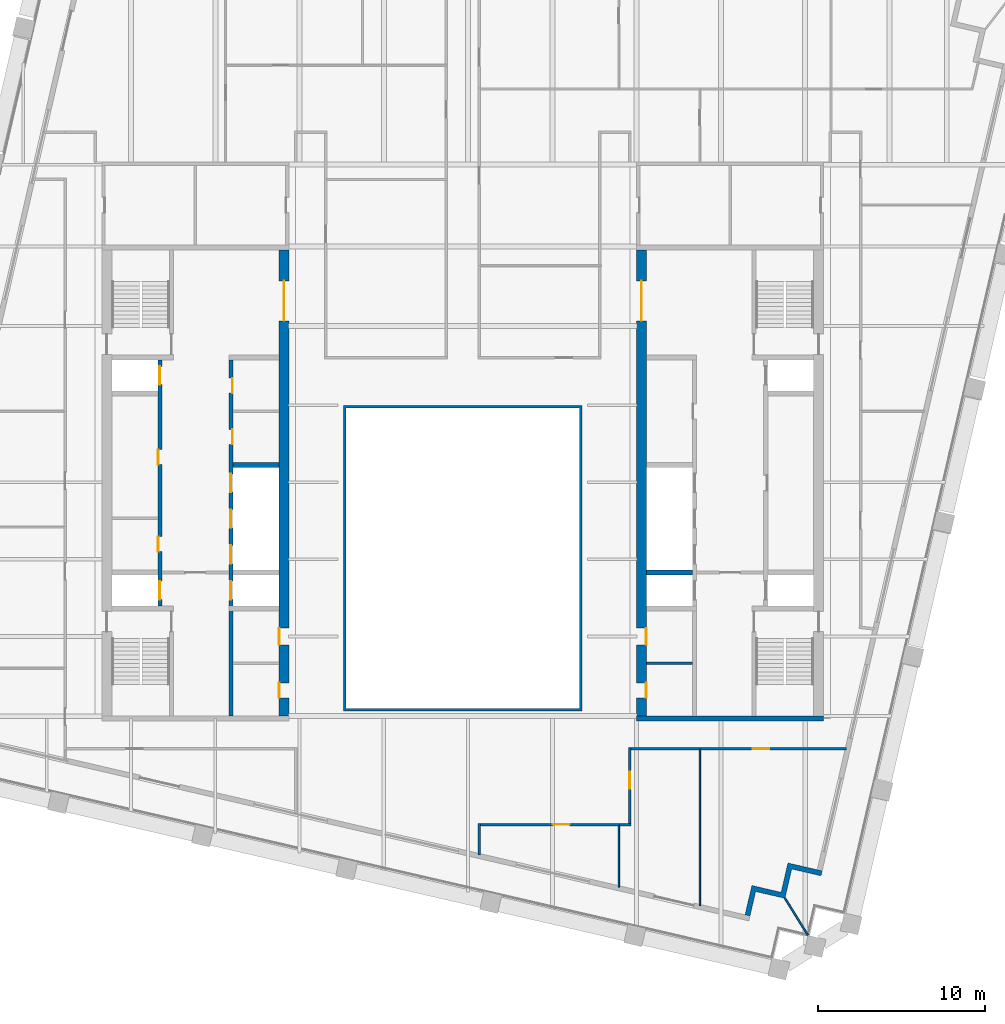
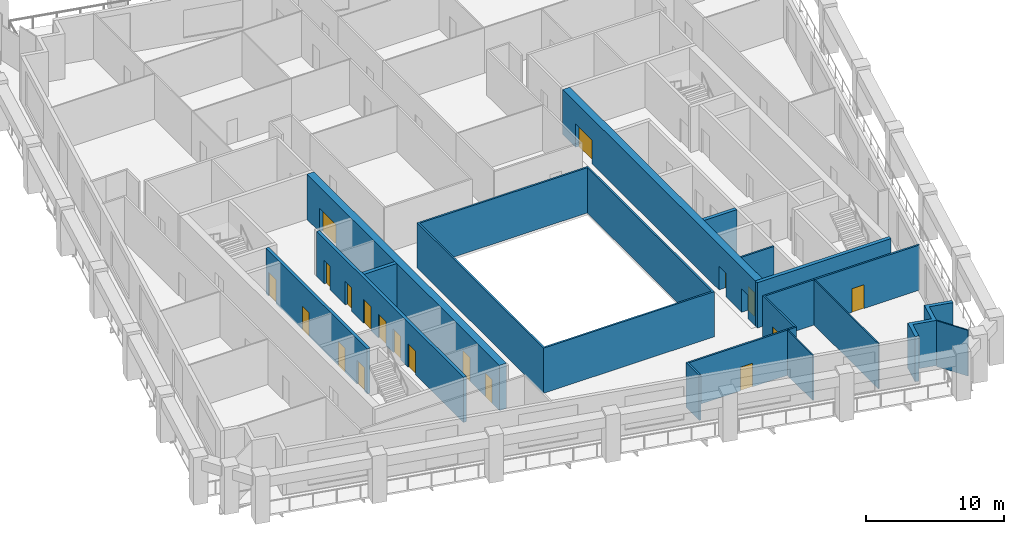
# One storey, part 4 of 10: 19 doors, 19 walls, 19 openings.
"""IFC4 building model written with IfcOpenShell, lengths in metres."""

import ifcopenshell
import ifcopenshell.guid

model = None  # the IFC model being written
_history = None  # IfcOwnerHistory: only IFC2X3 demands one
_inside = {}  # id of a spatial element -> (the spatial element, [elements in it])
_under = {}  # id of a project, library or spatial element -> (it, [spatial elements below it])
_declared = {}  # id of a project -> (the project, [libraries it declares])
_typed = {}  # id of a type object -> (the type object, [elements of that type])
_made_of = {}  # id of a material, layer set ... -> (it, [elements and type objects made of it])


def new_model(schema):
    """Start an empty IFC model of exactly this schema.

    Asked for "IFC4X3", IfcOpenShell would pick the latest addendum, in which some entities
    have other attributes; the version numbers below select the first issue.
    IFC2X3 requires an IfcOwnerHistory on every rooted entity: one is made here for all.
    """
    global model, _history
    if schema == "IFC4X3":
        model = ifcopenshell.file(schema_version=(4, 3, 0, 0))
    else:
        model = ifcopenshell.file(schema=schema)
    _inside.clear()
    _under.clear()
    _declared.clear()
    _typed.clear()
    _made_of.clear()
    _history = None
    if model.schema == "IFC2X3":
        org = make("IfcOrganization", Name="unknown")
        user = make(
            "IfcPersonAndOrganization",
            ThePerson=make("IfcPerson", FamilyName="unknown"),
            TheOrganization=org,
        )
        app = make(
            "IfcApplication",
            ApplicationDeveloper=org,
            Version="unknown",
            ApplicationFullName="unknown",
            ApplicationIdentifier="unknown",
        )
        _history = make(
            "IfcOwnerHistory",
            OwningUser=user,
            OwningApplication=app,
            ChangeAction="ADDED",
            CreationDate=0,
        )
    return model


def make(cls, **values):
    """One entity of the class cls with the attributes given. An attribute that is None is left unset."""
    return model.create_entity(
        cls, **{name: value for name, value in values.items() if value is not None}
    )


def rooted(cls, **values):
    """An entity with a GlobalId (a new one), such as an element, a storey or a relation."""
    return make(cls, GlobalId=ifcopenshell.guid.new(), OwnerHistory=_history, **values)


def si_unit(unit_type, name, prefix=None):
    """IfcSIUnit, for example si_unit("LENGTHUNIT", "METRE", prefix="MILLI")."""
    return make("IfcSIUnit", UnitType=unit_type, Prefix=prefix, Name=name)


def assignment(units):
    """IfcUnitAssignment: the units of a project."""
    return None if units is None else make("IfcUnitAssignment", Units=units)


def point(xyz):
    """IfcCartesianPoint."""
    return None if xyz is None else make("IfcCartesianPoint", Coordinates=xyz)


def direction(xyz):
    """IfcDirection."""
    return None if xyz is None else make("IfcDirection", DirectionRatios=xyz)


def frame(location, z_axis=None, x_axis=None):
    """IfcAxis2Placement3D, a coordinate frame: its origin and axes. An axis left out is left unset."""
    return make(
        "IfcAxis2Placement3D",
        Location=point(location),
        Axis=direction(z_axis),
        RefDirection=direction(x_axis),
    )


def frame_2d(location, x_axis=None):
    """IfcAxis2Placement2D, a coordinate frame in the plane: its origin and x axis."""
    return make(
        "IfcAxis2Placement2D", Location=point(location), RefDirection=direction(x_axis)
    )


def origin():
    """The frame at (0, 0, 0) with its axes left unset."""
    return frame((0.0, 0.0, 0.0))


def place(relative_to, where):
    """IfcLocalPlacement: puts the frame where relative to a parent placement (None: the world)."""
    return make(
        "IfcLocalPlacement", PlacementRelTo=relative_to, RelativePlacement=where
    )


def context(
    kind, dimensions, precision=None, world=None, true_north=None, identifier=None
):
    """IfcGeometricRepresentationContext, for example the 3D "Model" context."""
    return make(
        "IfcGeometricRepresentationContext",
        ContextIdentifier=identifier,
        ContextType=kind,
        CoordinateSpaceDimension=dimensions,
        Precision=precision,
        WorldCoordinateSystem=world,
        TrueNorth=true_north,
    )


def subcontext(parent, identifier, kind, view, scale=None):
    """IfcGeometricRepresentationSubContext, for example "Body" below "Model"."""
    return make(
        "IfcGeometricRepresentationSubContext",
        ContextIdentifier=identifier,
        ContextType=kind,
        ParentContext=parent,
        TargetScale=scale,
        TargetView=view,
    )


def project(units=None, contexts=None):
    """IfcProject with its units and contexts."""
    return rooted(
        "IfcProject",
        Name="project",
        RepresentationContexts=contexts,
        UnitsInContext=assignment(units),
    )


def spatial(cls, under=None, at=None, **own):
    """A site, building, storey or space (cls), placed at a placement, below another one or the project."""
    s = rooted(cls, ObjectPlacement=at, **own)
    if under is not None:
        _under.setdefault(under.id(), (under, []))[1].append(s)
    return s


def polyline(points):
    """IfcPolyline through the points."""
    return make("IfcPolyline", Points=[point(p) for p in points])


def profile(cls, at=None, kind="AREA", **sizes):
    """A parametric profile (cls). Its sizes go by their IFC names, for example OverallWidth=200.0."""
    return make(cls, ProfileType=kind, Position=at, **sizes)


def rectangle(**sizes):
    """IfcRectangleProfileDef."""
    return profile("IfcRectangleProfileDef", **sizes)


def outline(outer, holes=None, kind="AREA"):
    """IfcArbitraryClosedProfileDef: a profile drawn as a closed curve; with holes, ...WithVoids."""
    if holes is None:
        return make("IfcArbitraryClosedProfileDef", ProfileType=kind, OuterCurve=outer)
    return make(
        "IfcArbitraryProfileDefWithVoids",
        ProfileType=kind,
        OuterCurve=outer,
        InnerCurves=holes,
    )


def extrude(swept, where, along, depth):
    """IfcExtrudedAreaSolid: the profile swept, set in the frame where, extruded along a direction by depth."""
    return make(
        "IfcExtrudedAreaSolid",
        SweptArea=swept,
        Position=where,
        ExtrudedDirection=direction(along),
        Depth=depth,
    )


def shape(context_of_items, identifier, shape_type, items):
    """IfcShapeRepresentation: the items that make up one representation, for example the "Body"."""
    return make(
        "IfcShapeRepresentation",
        ContextOfItems=context_of_items,
        RepresentationIdentifier=identifier,
        RepresentationType=shape_type,
        Items=items,
    )


def material(Name=None, Category=None):
    """IfcMaterial."""
    return make("IfcMaterial", Name=Name, Category=Category)


def layer(
    of_material, thickness, ventilated=None, Name=None, Category=None, Priority=None
):
    """IfcMaterialLayer: one layer of a wall or slab, of a material (None: an air gap)."""
    return make(
        "IfcMaterialLayer",
        Material=of_material,
        LayerThickness=thickness,
        IsVentilated=ventilated,
        Name=Name,
        Category=Category,
        Priority=Priority,
    )


def layer_set(layers, Name=None):
    """IfcMaterialLayerSet."""
    return make("IfcMaterialLayerSet", MaterialLayers=layers, LayerSetName=Name)


def made_of(thing, what):
    """Note that an element or type object is made of a material, layer set ...; save() writes the relation."""
    if what is not None:
        _made_of.setdefault(what.id(), (what, []))[1].append(thing)
    return thing


def type_object(cls, material=None, **own):
    """A type object (cls), such as IfcWallType, which elements share."""
    return made_of(rooted(cls, **own), material)


def element(
    cls,
    number,
    at=None,
    inside=None,
    cuts=None,
    type_object=None,
    material=None,
    context=None,
    identifier="Body",
    shape_type=None,
    held_by="IfcProductDefinitionShape",
    body=None,
    shapes=None,
    **own,
):
    """One element of the class cls, such as IfcWall. Its Tag is "e" and its number.

    at: its placement. inside: the storey or other place that contains it. cuts: it is an
    opening in that element (IfcRelVoidsElement). A single representation is given by context,
    identifier, shape_type and body (its items); several are given by shapes. held_by: the class
    of the entity that holds the representations. save() writes the other relations.
    """
    e = rooted(cls, Tag="e%d" % number, ObjectPlacement=at, **own)
    if body is not None:
        shapes = [shape(context, identifier, shape_type, body)]
    if shapes is not None:
        e.Representation = make(held_by, Representations=shapes)
    if inside is not None:
        _inside.setdefault(inside.id(), (inside, []))[1].append(e)
    if cuts is not None:
        rooted(
            "IfcRelVoidsElement", RelatingBuildingElement=cuts, RelatedOpeningElement=e
        )
    if type_object is not None:
        _typed.setdefault(type_object.id(), (type_object, []))[1].append(e)
    return made_of(e, material)


def fill(opening, filler):
    """IfcRelFillsElement: the door or window that sits in an opening."""
    return rooted(
        "IfcRelFillsElement",
        RelatingOpeningElement=opening,
        RelatedBuildingElement=filler,
    )


def aggregate(whole, parts):
    """IfcRelAggregates: a whole, such as a stair, and the parts it consists of."""
    return rooted("IfcRelAggregates", RelatingObject=whole, RelatedObjects=parts)


def save(model, path):
    """Write the relations noted so far, then the file.

    IfcRelAggregates (storeys below a building ...), IfcRelContainedInSpatialStructure (elements
    in a storey), IfcRelDefinesByType, IfcRelAssociatesMaterial and IfcRelDeclares: one each for
    every whole, place, type object, material and project.
    """
    for whole, parts in _under.values():
        aggregate(whole, parts)
    for where, things in _inside.values():
        rooted(
            "IfcRelContainedInSpatialStructure",
            RelatedElements=things,
            RelatingStructure=where,
        )
    for kind, things in _typed.values():
        rooted("IfcRelDefinesByType", RelatedObjects=things, RelatingType=kind)
    for what, things in _made_of.values():
        rooted("IfcRelAssociatesMaterial", RelatedObjects=things, RelatingMaterial=what)
    for by, libraries in _declared.values():
        rooted("IfcRelDeclares", RelatingContext=by, RelatedDefinitions=libraries)
    model.write(path)


model = new_model("IFC4")

# Units and contexts
model_context = context("Model", 3, precision=1e-05, world=origin(), true_north=direction((0.0, 1.0)))
body_context = subcontext(model_context, "Body", "Model", "MODEL_VIEW")
ifc_project = project(units=[si_unit("LENGTHUNIT", "METRE"), si_unit("AREAUNIT", "SQUARE_METRE"), si_unit("VOLUMEUNIT", "CUBIC_METRE"), si_unit("PLANEANGLEUNIT", "RADIAN"), si_unit("MASSUNIT", "GRAM", prefix="KILO")], contexts=[model_context])

# Site, building, storey
site_placement = place(None, origin())
site = spatial("IfcSite", under=ifc_project, at=site_placement, CompositionType="ELEMENT")
building_placement = place(site_placement, origin())
building = spatial("IfcBuilding", under=site, at=building_placement, Name="Ogive Exchange Tower", CompositionType="ELEMENT")
storey_placement = place(building_placement, frame((0.0, 0.0, 268.199951171875)))
storey = spatial("IfcBuildingStorey", under=building, at=storey_placement, Name="L58", CompositionType="ELEMENT", Elevation=268.199951171875)

# Walls
ifc_material_1 = material(Name="Gypsum board partition")
ifc_layer_1 = layer(ifc_material_1, 0.14990234375)
ifc_layer_set_1 = layer_set([ifc_layer_1], Name="Core room partition 150 gypsum")
wall_type_1 = type_object("IfcWallType", Name="Core room partition 150 gypsum", PredefinedType="PARTITIONING", material=ifc_layer_set_1)
wall_1_placement = place(storey_placement, frame((11.0, 0.699951171875, 0.0), z_axis=(0.0, 0.0, 1.0), x_axis=(1.0, 0.0, 0.0)))
element("IfcWall", 1, at=wall_1_placement, inside=storey, type_object=wall_type_1, Name="E south room partition", PredefinedType="PARTITIONING", context=body_context, shape_type="SweptSolid", body=[
    extrude(rectangle(XDim=2.75, YDim=0.14990234375, at=frame_2d((1.375, 0.0))), origin(), (0.0, 0.0, 1.0), 4.0),
])
ifc_material_2 = material(Name="Fire partition EI 60 150")
ifc_layer_2 = layer(ifc_material_2, 0.14990234375)
ifc_layer_set_2 = layer_set([ifc_layer_2], Name="Fire partition EI 60 150")
wall_type_2 = type_object("IfcWallType", Name="Fire partition EI 60 150", PredefinedType="PARTITIONING", material=ifc_layer_set_2)
wall_2_placement = place(storey_placement, frame((0.989990234375, -8.864990234375, 0.0), z_axis=(0.0, 0.0, 1.0), x_axis=(0.0, -1.0, 0.0)))
element("IfcWall", 2, at=wall_2_placement, inside=storey, type_object=wall_type_2, Name="L58-PWL-035", PredefinedType="PARTITIONING", context=body_context, shape_type="SweptSolid", body=[
    extrude(rectangle(XDim=1.887939453125, YDim=0.14990234375, at=frame_2d((0.94384765625, 0.0))), origin(), (0.0, 0.0, 1.0), 4.0),
])

# Wall, opening, door
wall_3_placement = place(storey_placement, frame((9.389892578125, -8.93994140625, 0.0), z_axis=(0.0, 0.0, 1.0), x_axis=(-1.0, 0.0, 0.0)))
wall_3 = element("IfcWall", 3, at=wall_3_placement, inside=storey, type_object=wall_type_2, Name="L58-PWL-045", PredefinedType="PARTITIONING", context=body_context, shape_type="SweptSolid", body=[
    extrude(rectangle(XDim=8.324951171875, YDim=0.14990234375, at=frame_2d((4.16259765625, 0.0))), origin(), (0.0, 0.0, 1.0), 4.0),
])
opening_1_placement = place(wall_3_placement, frame((3.0, 0.0, 0.0)))
opening_1 = element("IfcOpeningElement", 4, at=opening_1_placement, cuts=wall_3, Name="Opening L58-I07", PredefinedType="OPENING", context=body_context, shape_type="SweptSolid", body=[
    extrude(rectangle(XDim=1.0, YDim=2.10009765625, at=frame_2d((0.5, 1.050048828125))), frame((0.0, 0.0849609375, 0.0), z_axis=(0.0, -1.0, 0.0), x_axis=(1.0, 0.0, 0.0)), (0.0, 0.0, 1.0), 0.169921875),
])
ifc_material_3 = material(Name="Fire door FD 30S 1000 x 2100")
door_type_1 = type_object("IfcDoorType", Name="Fire door FD 30S 1000 x 2100", OperationType="NOTDEFINED", PredefinedType="DOOR", material=ifc_material_3)
door_1_placement = place(opening_1_placement, origin())
door_1 = element("IfcDoor", 5, at=door_1_placement, inside=storey, type_object=door_type_1, Name="L58-IDR-007", ObjectType="DT3", OperationType="SINGLE_SWING_RIGHT", OverallHeight=2.10009765625, OverallWidth=1.0, PredefinedType="DOOR", context=body_context, shape_type="SweptSolid", body=[
    extrude(rectangle(XDim=1.0, YDim=2.10009765625, at=frame_2d((0.5, 1.050048828125))), frame((0.0, 0.02490234375, 0.0), z_axis=(0.0, -1.0, 0.0), x_axis=(1.0, 0.0, 0.0)), (0.0, 0.0, 1.0), 0.050048828125),
])
fill(opening_1, door_1)

# Wall
wall_4_placement = place(storey_placement, frame((10.074951171875, -8.93994140625, 0.0), z_axis=(0.0, 0.0, 1.0), x_axis=(-1.0, 0.0, 0.0)))
element("IfcWall", 6, at=wall_4_placement, inside=storey, type_object=wall_type_2, Name="L58-PWL-051", PredefinedType="PARTITIONING", context=body_context, shape_type="SweptSolid", body=[
    extrude(rectangle(XDim=0.68505859375, YDim=0.14990234375, at=frame_2d((0.342529296875, 0.0))), origin(), (0.0, 0.0, 1.0), 4.0),
])

# Wall, opening, door
wall_5_placement = place(storey_placement, frame((10.0, -4.324951171875, 0.0), z_axis=(0.0, 0.0, 1.0), x_axis=(0.0, -1.0, 0.0)))
wall_5 = element("IfcWall", 7, at=wall_5_placement, inside=storey, type_object=wall_type_2, Name="L58-PWL-052", PredefinedType="PARTITIONING", context=body_context, shape_type="SweptSolid", body=[
    extrude(rectangle(XDim=4.5400390625, YDim=0.14990234375, at=frame_2d((2.27001953125, 0.0))), origin(), (0.0, 0.0, 1.0), 4.0),
])
opening_2_placement = place(wall_5_placement, frame((1.465087890625, 0.0, 0.0)))
opening_2 = element("IfcOpeningElement", 8, at=opening_2_placement, cuts=wall_5, Name="Opening L58-I08", PredefinedType="OPENING", context=body_context, shape_type="SweptSolid", body=[
    extrude(rectangle(XDim=1.0, YDim=2.10009765625, at=frame_2d((0.5, 1.050048828125))), frame((0.0, 0.0849609375, 0.0), z_axis=(0.0, -1.0, 0.0), x_axis=(1.0, 0.0, 0.0)), (0.0, 0.0, 1.0), 0.169921875),
])
door_2_placement = place(opening_2_placement, origin())
door_2 = element("IfcDoor", 9, at=door_2_placement, inside=storey, type_object=door_type_1, Name="L58-IDR-008", ObjectType="DT3", OperationType="SINGLE_SWING_RIGHT", OverallHeight=2.10009765625, OverallWidth=1.0, PredefinedType="DOOR", context=body_context, shape_type="SweptSolid", body=[
    extrude(rectangle(XDim=1.0, YDim=2.10009765625, at=frame_2d((0.5, 1.050048828125))), frame((0.0, 0.02490234375, 0.0), z_axis=(0.0, -1.0, 0.0), x_axis=(1.0, 0.0, 0.0)), (0.0, 0.0, 1.0), 0.050048828125),
])
fill(opening_2, door_2)

# Wall
wall_6_placement = place(storey_placement, frame((14.18994140625, -4.39990234375, 0.0), z_axis=(0.0, 0.0, 1.0), x_axis=(-1.0, 0.0, 0.0)))
element("IfcWall", 10, at=wall_6_placement, inside=storey, type_object=wall_type_2, Name="L58-PWL-054", PredefinedType="PARTITIONING", context=body_context, shape_type="SweptSolid", body=[
    extrude(rectangle(XDim=4.114990234375, YDim=0.14990234375, at=frame_2d((2.0576171875, 0.0))), origin(), (0.0, 0.0, 1.0), 4.0),
])

# Wall, opening, door
wall_7_placement = place(storey_placement, frame((22.968017578125, -4.39990234375, 0.0), z_axis=(0.0, 0.0, 1.0), x_axis=(-1.0, 0.0, 0.0)))
wall_7 = element("IfcWall", 11, at=wall_7_placement, inside=storey, type_object=wall_type_2, Name="L58-PWL-064", PredefinedType="PARTITIONING", context=body_context, shape_type="SweptSolid", body=[
    extrude(rectangle(XDim=8.778076171875, YDim=0.14990234375, at=frame_2d((4.38916015625, 0.0))), origin(), (0.0, 0.0, 1.0), 4.0),
])
opening_3_placement = place(wall_7_placement, frame((4.6279296875, 0.0, 0.0)))
opening_3 = element("IfcOpeningElement", 12, at=opening_3_placement, cuts=wall_7, Name="Opening L58-I09", PredefinedType="OPENING", context=body_context, shape_type="SweptSolid", body=[
    extrude(rectangle(XDim=1.0, YDim=2.10009765625, at=frame_2d((0.5, 1.050048828125))), frame((0.0, 0.0849609375, 0.0), z_axis=(0.0, -1.0, 0.0), x_axis=(1.0, 0.0, 0.0)), (0.0, 0.0, 1.0), 0.169921875),
])
door_3_placement = place(opening_3_placement, origin())
door_3 = element("IfcDoor", 13, at=door_3_placement, inside=storey, type_object=door_type_1, Name="L58-IDR-009", ObjectType="DT3", OperationType="SINGLE_SWING_LEFT", OverallHeight=2.10009765625, OverallWidth=1.0, PredefinedType="DOOR", context=body_context, shape_type="SweptSolid", body=[
    extrude(rectangle(XDim=1.0, YDim=2.10009765625, at=frame_2d((0.5, 1.050048828125))), frame((0.0, 0.02490234375, 0.0), z_axis=(0.0, -1.0, 0.0), x_axis=(1.0, 0.0, 0.0)), (0.0, 0.0, 1.0), 0.050048828125),
])
fill(opening_3, door_3)

# Walls
ifc_material_4 = material(Name="Fire-resisting glass in steel frame", Category="steel")
ifc_layer_3 = layer(ifc_material_4, 0.14990234375)
ifc_layer_set_3 = layer_set([ifc_layer_3], Name="Fire-rated glazed wall 150")
wall_type_3 = type_object("IfcWallType", Name="Fire-rated glazed wall 150", PredefinedType="STANDARD", material=ifc_layer_set_3)
wall_8_placement = place(storey_placement, origin())
element("IfcWall", 14, at=wall_8_placement, inside=storey, type_object=wall_type_3, Name="Nave enclosure wall", PredefinedType="STANDARD", context=body_context, shape_type="SweptSolid", body=[
    extrude(outline(polyline([(-7.14990234375, -2.14990234375), (7.14990234375, -2.14990234375), (7.14990234375, 16.14990234375), (-7.14990234375, 16.14990234375), (-7.14990234375, -2.14990234375)]), holes=[polyline([(-7.0, -2.0), (-7.0, 16.0), (7.0, 16.0), (7.0, -2.0), (-7.0, -2.0)])]), origin(), (0.0, 0.0, 1.0), 4.0),
])
ifc_material_5 = material(Name="Precast concrete C40/50", Category="concrete")
ifc_layer_4 = layer(ifc_material_5, 0.300048828125)
ifc_layer_set_4 = layer_set([ifc_layer_4], Name="Limestone-faced wall 300")
wall_type_4 = type_object("IfcWallType", Name="Limestone-faced wall 300", PredefinedType="STANDARD", material=ifc_layer_set_4)
wall_9_placement = place(storey_placement, origin())
element("IfcWall", 15, at=wall_9_placement, inside=storey, type_object=wall_type_4, Name="External corner wall C1", PredefinedType="STANDARD", context=body_context, shape_type="SweptSolid", body=[
    extrude(outline(polyline([(19.053955078125, -12.993408203125), (19.458740234375, -11.239501953125), (21.5048828125, -11.7119140625), (21.4375, -12.004150390625), (19.68359375, -11.599365234375), (19.27880859375, -13.353271484375), (17.52490234375, -12.9482421875), (17.1875, -14.409912109375), (16.89501953125, -14.34228515625), (17.300048828125, -12.58837890625), (19.053955078125, -12.993408203125)])), origin(), (0.0, 0.0, 1.0), 4.0),
])
ifc_material_6 = material(Name="Laminated safety glass in steel frame", Category="steel")
ifc_layer_5 = layer(ifc_material_6, 0.10009765625)
ifc_layer_set_5 = layer_set([ifc_layer_5], Name="Loggia end screen 100")
wall_type_5 = type_object("IfcWallType", Name="Loggia end screen 100", PredefinedType="STANDARD", material=ifc_layer_set_5)
wall_10_placement = place(storey_placement, frame((19.27880859375, -13.353271484375, -0.050048828125), z_axis=(0.0, 0.0, 1.0), x_axis=(0.529914407191, -0.848051131154, 0.0)))
element("IfcWall", 16, at=wall_10_placement, inside=storey, type_object=wall_type_5, Name="Loggia end screen C1", PredefinedType="STANDARD", context=body_context, shape_type="SweptSolid", body=[
    extrude(rectangle(XDim=2.59619140625, YDim=0.10009765625, at=frame_2d((1.298095703125, 0.0))), origin(), (0.0, 0.0, 1.0), 4.050048828125),
])
ifc_material_7 = material(Name="Partition 100 gypsum")
ifc_layer_6 = layer(ifc_material_7, 0.10009765625)
ifc_layer_set_6 = layer_set([ifc_layer_6], Name="Partition 100 gypsum")
wall_type_6 = type_object("IfcWallType", Name="Partition 100 gypsum", PredefinedType="PARTITIONING", material=ifc_layer_set_6)
wall_11_placement = place(storey_placement, frame((9.340087890625, -9.014892578125, 0.0), z_axis=(0.0, 0.0, 1.0), x_axis=(0.0, -1.0, 0.0)))
element("IfcWall", 17, at=wall_11_placement, inside=storey, type_object=wall_type_6, Name="L58-PWL-046", PredefinedType="PARTITIONING", context=body_context, shape_type="SweptSolid", body=[
    extrude(rectangle(XDim=3.666015625, YDim=0.10009765625, at=frame_2d((1.8330078125, 0.0))), origin(), (0.0, 0.0, 1.0), 4.0),
])
wall_12_placement = place(storey_placement, frame((14.18994140625, -4.47509765625, 0.0), z_axis=(0.0, 0.0, 1.0), x_axis=(0.0, -1.0, 0.0)))
element("IfcWall", 18, at=wall_12_placement, inside=storey, type_object=wall_type_6, Name="L58-PWL-055", PredefinedType="PARTITIONING", context=body_context, shape_type="SweptSolid", body=[
    extrude(rectangle(XDim=9.324951171875, YDim=0.10009765625, at=frame_2d((4.66259765625, 0.0))), origin(), (0.0, 0.0, 1.0), 4.0),
])

# Wall, openings, doors
ifc_material_8 = material(Name="Concrete C70/85", Category="concrete")
ifc_layer_7 = layer(ifc_material_8, 0.25)
ifc_layer_set_7 = layer_set([ifc_layer_7], Name="RC core wall 250 C70/85")
wall_type_7 = type_object("IfcWallType", Name="RC core wall 250 C70/85", PredefinedType="SHEAR", material=ifc_layer_set_7)
wall_13_placement = place(storey_placement, frame((-18.125, 4.14990234375, 0.0), z_axis=(0.0, 0.0, 1.0), x_axis=(0.0, 1.0, 0.0)))
wall_13 = element("IfcWall", 19, at=wall_13_placement, inside=storey, type_object=wall_type_7, Name="W row A front wall", PredefinedType="SHEAR", context=body_context, shape_type="SweptSolid", body=[
    extrude(rectangle(XDim=14.7001953125, YDim=0.25, at=frame_2d((7.35009765625, 0.0))), origin(), (0.0, 0.0, 1.0), 4.0),
])
opening_4_placement = place(wall_13_placement, frame((3.246337890625, 0.0, 0.0)))
opening_4 = element("IfcOpeningElement", 20, at=opening_4_placement, cuts=wall_13, Name="Opening L58-C01", PredefinedType="OPENING", context=body_context, shape_type="SweptSolid", body=[
    extrude(rectangle(XDim=0.89990234375, YDim=2.10009765625, at=frame_2d((0.449951171875, 1.050048828125))), frame((0.0, 0.135009765625, 0.0), z_axis=(0.0, -1.0, 0.0), x_axis=(1.0, 0.0, 0.0)), (0.0, 0.0, 1.0), 0.27001953125),
])
opening_5_placement = place(wall_13_placement, frame((8.45361328125, 0.0, 0.0)))
opening_5 = element("IfcOpeningElement", 21, at=opening_5_placement, cuts=wall_13, Name="Opening L58-C02", PredefinedType="OPENING", context=body_context, shape_type="SweptSolid", body=[
    extrude(rectangle(XDim=0.89990234375, YDim=2.10009765625, at=frame_2d((0.449951171875, 1.050048828125))), frame((0.0, 0.135009765625, 0.0), z_axis=(0.0, -1.0, 0.0), x_axis=(1.0, 0.0, 0.0)), (0.0, 0.0, 1.0), 0.27001953125),
])
opening_6_placement = place(wall_13_placement, frame((0.371337890625, 0.0, 0.0)))
opening_6 = element("IfcOpeningElement", 22, at=opening_6_placement, cuts=wall_13, Name="Opening L58-C03", PredefinedType="OPENING", context=body_context, shape_type="SweptSolid", body=[
    extrude(rectangle(XDim=1.10009765625, YDim=2.10009765625, at=frame_2d((0.550048828125, 1.050048828125))), frame((0.0, 0.135009765625, 0.0), z_axis=(0.0, -1.0, 0.0), x_axis=(1.0, 0.0, 0.0)), (0.0, 0.0, 1.0), 0.27001953125),
])
opening_7_placement = place(wall_13_placement, frame((13.228515625, 0.0, 0.0)))
opening_7 = element("IfcOpeningElement", 23, at=opening_7_placement, cuts=wall_13, Name="Opening L58-C04", PredefinedType="OPENING", context=body_context, shape_type="SweptSolid", body=[
    extrude(rectangle(XDim=1.10009765625, YDim=2.10009765625, at=frame_2d((0.550048828125, 1.050048828125))), frame((0.0, 0.135009765625, 0.0), z_axis=(0.0, -1.0, 0.0), x_axis=(1.0, 0.0, 0.0)), (0.0, 0.0, 1.0), 0.27001953125),
])
ifc_material_9 = material(Name="Timber fire door", Category="wood")
door_type_2 = type_object("IfcDoorType", Name="Core room door FD30S 900 x 2100", OperationType="NOTDEFINED", PredefinedType="DOOR", material=ifc_material_9)
door_4_placement = place(opening_5_placement, origin())
door_4 = element("IfcDoor", 24, at=door_4_placement, inside=storey, type_object=door_type_2, Name="Core room door", ObjectType="CD6", OperationType="SINGLE_SWING_LEFT", OverallHeight=2.10009765625, OverallWidth=0.89990234375, PredefinedType="DOOR", context=body_context, shape_type="SweptSolid", body=[
    extrude(rectangle(XDim=0.89990234375, YDim=2.10009765625, at=frame_2d((0.449951171875, 1.050048828125))), frame((0.0, 0.125, 0.0), z_axis=(0.0, -1.0, 0.0), x_axis=(1.0, 0.0, 0.0)), (0.0, 0.0, 1.0), 0.050048828125),
])
fill(opening_5, door_4)
ifc_material_10 = material(Name="Stainless steel", Category="steel")
door_type_3 = type_object("IfcDoorType", Name="Lift landing door FD90 1100 x 2100", OperationType="SLIDING_TO_LEFT", PredefinedType="DOOR", material=ifc_material_10)
door_5_placement = place(opening_6_placement, origin())
door_5 = element("IfcDoor", 25, at=door_5_placement, inside=storey, type_object=door_type_3, Name="Lift landing door FF1", ObjectType="LD", OperationType="SLIDING_TO_LEFT", OverallHeight=2.10009765625, OverallWidth=1.10009765625, PredefinedType="DOOR", context=body_context, shape_type="SweptSolid", body=[
    extrude(rectangle(XDim=1.10009765625, YDim=2.10009765625, at=frame_2d((0.550048828125, 1.050048828125))), frame((0.0, 0.02490234375, 0.0), z_axis=(0.0, -1.0, 0.0), x_axis=(1.0, 0.0, 0.0)), (0.0, 0.0, 1.0), 0.050048828125),
])
fill(opening_6, door_5)
door_6_placement = place(opening_7_placement, origin())
door_6 = element("IfcDoor", 26, at=door_6_placement, inside=storey, type_object=door_type_3, Name="Lift landing door W-SH2", ObjectType="LD", OperationType="SLIDING_TO_LEFT", OverallHeight=2.10009765625, OverallWidth=1.10009765625, PredefinedType="DOOR", context=body_context, shape_type="SweptSolid", body=[
    extrude(rectangle(XDim=1.10009765625, YDim=2.10009765625, at=frame_2d((0.550048828125, 1.050048828125))), frame((0.0, 0.02490234375, 0.0), z_axis=(0.0, -1.0, 0.0), x_axis=(1.0, 0.0, 0.0)), (0.0, 0.0, 1.0), 0.050048828125),
])
fill(opening_7, door_6)
ifc_material_11 = material(Name="Steel fire door", Category="steel")
door_type_4 = type_object("IfcDoorType", Name="Riser door FD60 900 x 2100", OperationType="NOTDEFINED", PredefinedType="DOOR", material=ifc_material_11)
door_7_placement = place(opening_4_placement, origin())
door_7 = element("IfcDoor", 27, at=door_7_placement, inside=storey, type_object=door_type_4, Name="Riser door", ObjectType="CD2", OperationType="SINGLE_SWING_LEFT", OverallHeight=2.10009765625, OverallWidth=0.89990234375, PredefinedType="DOOR", context=body_context, shape_type="SweptSolid", body=[
    extrude(rectangle(XDim=0.89990234375, YDim=2.10009765625, at=frame_2d((0.449951171875, 1.050048828125))), frame((0.0, 0.125, 0.0), z_axis=(0.0, -1.0, 0.0), x_axis=(1.0, 0.0, 0.0)), (0.0, 0.0, 1.0), 0.050048828125),
])
fill(opening_4, door_7)

wall_14_placement = place(storey_placement, frame((-13.875, -2.449951171875, 0.0), z_axis=(0.0, 0.0, 1.0), x_axis=(0.0, 1.0, 0.0)))
wall_14 = element("IfcWall", 28, at=wall_14_placement, inside=storey, type_object=wall_type_7, Name="W row B front wall", PredefinedType="SHEAR", context=body_context, shape_type="SweptSolid", body=[
    extrude(rectangle(XDim=21.300048828125, YDim=0.25, at=frame_2d((10.64990234375, 0.0))), origin(), (0.0, 0.0, 1.0), 4.0),
])
opening_8_placement = place(wall_14_placement, frame((16.2607421875, 0.0, 0.0)))
opening_8 = element("IfcOpeningElement", 29, at=opening_8_placement, cuts=wall_14, Name="Opening L58-C05", PredefinedType="OPENING", context=body_context, shape_type="SweptSolid", body=[
    extrude(rectangle(XDim=0.89990234375, YDim=2.10009765625, at=frame_2d((0.449951171875, 1.050048828125))), frame((0.0, 0.135009765625, 0.0), z_axis=(0.0, -1.0, 0.0), x_axis=(1.0, 0.0, 0.0)), (0.0, 0.0, 1.0), 0.27001953125),
])
opening_9_placement = place(wall_14_placement, frame((19.324951171875, 0.0, 0.0)))
opening_9 = element("IfcOpeningElement", 30, at=opening_9_placement, cuts=wall_14, Name="Opening L58-C06", PredefinedType="OPENING", context=body_context, shape_type="SweptSolid", body=[
    extrude(rectangle(XDim=0.89990234375, YDim=2.10009765625, at=frame_2d((0.449951171875, 1.050048828125))), frame((0.0, 0.135009765625, 0.0), z_axis=(0.0, -1.0, 0.0), x_axis=(1.0, 0.0, 0.0)), (0.0, 0.0, 1.0), 0.27001953125),
])
opening_10_placement = place(wall_14_placement, frame((6.971435546875, 0.0, 0.0)))
opening_10 = element("IfcOpeningElement", 31, at=opening_10_placement, cuts=wall_14, Name="Opening L58-C07", PredefinedType="OPENING", context=body_context, shape_type="SweptSolid", body=[
    extrude(rectangle(XDim=1.10009765625, YDim=2.10009765625, at=frame_2d((0.550048828125, 1.050048828125))), frame((0.0, 0.135009765625, 0.0), z_axis=(0.0, -1.0, 0.0), x_axis=(1.0, 0.0, 0.0)), (0.0, 0.0, 1.0), 0.27001953125),
])
opening_11_placement = place(wall_14_placement, frame((9.1142578125, 0.0, 0.0)))
opening_11 = element("IfcOpeningElement", 32, at=opening_11_placement, cuts=wall_14, Name="Opening L58-C08", PredefinedType="OPENING", context=body_context, shape_type="SweptSolid", body=[
    extrude(rectangle(XDim=1.10009765625, YDim=2.10009765625, at=frame_2d((0.550048828125, 1.050048828125))), frame((0.0, 0.135009765625, 0.0), z_axis=(0.0, -1.0, 0.0), x_axis=(1.0, 0.0, 0.0)), (0.0, 0.0, 1.0), 0.27001953125),
])
opening_12_placement = place(wall_14_placement, frame((11.257080078125, 0.0, 0.0)))
opening_12 = element("IfcOpeningElement", 33, at=opening_12_placement, cuts=wall_14, Name="Opening L58-C09", PredefinedType="OPENING", context=body_context, shape_type="SweptSolid", body=[
    extrude(rectangle(XDim=1.10009765625, YDim=2.10009765625, at=frame_2d((0.550048828125, 1.050048828125))), frame((0.0, 0.135009765625, 0.0), z_axis=(0.0, -1.0, 0.0), x_axis=(1.0, 0.0, 0.0)), (0.0, 0.0, 1.0), 0.27001953125),
])
opening_13_placement = place(wall_14_placement, frame((13.39990234375, 0.0, 0.0)))
opening_13 = element("IfcOpeningElement", 34, at=opening_13_placement, cuts=wall_14, Name="Opening L58-C10", PredefinedType="OPENING", context=body_context, shape_type="SweptSolid", body=[
    extrude(rectangle(XDim=1.10009765625, YDim=2.10009765625, at=frame_2d((0.550048828125, 1.050048828125))), frame((0.0, 0.135009765625, 0.0), z_axis=(0.0, -1.0, 0.0), x_axis=(1.0, 0.0, 0.0)), (0.0, 0.0, 1.0), 0.27001953125),
])
door_8_placement = place(opening_10_placement, origin())
door_8 = element("IfcDoor", 35, at=door_8_placement, inside=storey, type_object=door_type_3, Name="Lift landing door SV1", ObjectType="LD", OperationType="SLIDING_TO_LEFT", OverallHeight=2.10009765625, OverallWidth=1.10009765625, PredefinedType="DOOR", context=body_context, shape_type="SweptSolid", body=[
    extrude(rectangle(XDim=1.10009765625, YDim=2.10009765625, at=frame_2d((0.550048828125, 1.050048828125))), frame((0.0, 0.02490234375, 0.0), z_axis=(0.0, -1.0, 0.0), x_axis=(1.0, 0.0, 0.0)), (0.0, 0.0, 1.0), 0.050048828125),
])
fill(opening_10, door_8)
door_9_placement = place(opening_11_placement, origin())
door_9 = element("IfcDoor", 36, at=door_9_placement, inside=storey, type_object=door_type_3, Name="Lift landing door W-M1", ObjectType="LD", OperationType="SLIDING_TO_LEFT", OverallHeight=2.10009765625, OverallWidth=1.10009765625, PredefinedType="DOOR", context=body_context, shape_type="SweptSolid", body=[
    extrude(rectangle(XDim=1.10009765625, YDim=2.10009765625, at=frame_2d((0.550048828125, 1.050048828125))), frame((0.0, 0.02490234375, 0.0), z_axis=(0.0, -1.0, 0.0), x_axis=(1.0, 0.0, 0.0)), (0.0, 0.0, 1.0), 0.050048828125),
])
fill(opening_11, door_9)
door_10_placement = place(opening_12_placement, origin())
door_10 = element("IfcDoor", 37, at=door_10_placement, inside=storey, type_object=door_type_3, Name="Lift landing door W-M2", ObjectType="LD", OperationType="SLIDING_TO_LEFT", OverallHeight=2.10009765625, OverallWidth=1.10009765625, PredefinedType="DOOR", context=body_context, shape_type="SweptSolid", body=[
    extrude(rectangle(XDim=1.10009765625, YDim=2.10009765625, at=frame_2d((0.550048828125, 1.050048828125))), frame((0.0, 0.02490234375, 0.0), z_axis=(0.0, -1.0, 0.0), x_axis=(1.0, 0.0, 0.0)), (0.0, 0.0, 1.0), 0.050048828125),
])
fill(opening_12, door_10)
door_11_placement = place(opening_13_placement, origin())
door_11 = element("IfcDoor", 38, at=door_11_placement, inside=storey, type_object=door_type_3, Name="Lift landing door W-M3", ObjectType="LD", OperationType="SLIDING_TO_LEFT", OverallHeight=2.10009765625, OverallWidth=1.10009765625, PredefinedType="DOOR", context=body_context, shape_type="SweptSolid", body=[
    extrude(rectangle(XDim=1.10009765625, YDim=2.10009765625, at=frame_2d((0.550048828125, 1.050048828125))), frame((0.0, 0.02490234375, 0.0), z_axis=(0.0, -1.0, 0.0), x_axis=(1.0, 0.0, 0.0)), (0.0, 0.0, 1.0), 0.050048828125),
])
fill(opening_13, door_11)
door_12_placement = place(opening_8_placement, frame((0.89990234375, -0.2001953125, 0.0), z_axis=(0.0, 0.0, 1.0), x_axis=(-1.0, 0.0, 0.0)))
door_12 = element("IfcDoor", 39, at=door_12_placement, inside=storey, type_object=door_type_4, Name="Riser door", ObjectType="CD2", OperationType="SINGLE_SWING_LEFT", OverallHeight=2.10009765625, OverallWidth=0.89990234375, PredefinedType="DOOR", context=body_context, shape_type="SweptSolid", body=[
    extrude(rectangle(XDim=0.89990234375, YDim=2.10009765625, at=frame_2d((0.449951171875, 1.050048828125))), frame((0.0, -0.0751953125, 0.0), z_axis=(0.0, -1.0, 0.0), x_axis=(1.0, 0.0, 0.0)), (0.0, 0.0, 1.0), 0.050048828125),
])
fill(opening_8, door_12)
door_13_placement = place(opening_9_placement, frame((0.89990234375, -0.2001953125, 0.0), z_axis=(0.0, 0.0, 1.0), x_axis=(-1.0, 0.0, 0.0)))
door_13 = element("IfcDoor", 40, at=door_13_placement, inside=storey, type_object=door_type_4, Name="Riser door", ObjectType="CD2", OperationType="SINGLE_SWING_LEFT", OverallHeight=2.10009765625, OverallWidth=0.89990234375, PredefinedType="DOOR", context=body_context, shape_type="SweptSolid", body=[
    extrude(rectangle(XDim=0.89990234375, YDim=2.10009765625, at=frame_2d((0.449951171875, 1.050048828125))), frame((0.0, -0.0751953125, 0.0), z_axis=(0.0, -1.0, 0.0), x_axis=(1.0, 0.0, 0.0)), (0.0, 0.0, 1.0), 0.050048828125),
])
fill(opening_9, door_13)

# Walls
ifc_layer_8 = layer(ifc_material_8, 0.300048828125)
ifc_layer_set_8 = layer_set([ifc_layer_8], Name="RC core wall 300 C70/85")
wall_type_8 = type_object("IfcWallType", Name="RC core wall 300 C70/85", PredefinedType="SHEAR", material=ifc_layer_set_8)
wall_15_placement = place(storey_placement, frame((-13.75, 12.5712890625, 0.0), z_axis=(0.0, 0.0, 1.0), x_axis=(1.0, 0.0, 0.0)))
element("IfcWall", 41, at=wall_15_placement, inside=storey, type_object=wall_type_8, Name="W row B divider 4", PredefinedType="SHEAR", context=body_context, shape_type="SweptSolid", body=[
    extrude(rectangle(XDim=2.75, YDim=0.300048828125, at=frame_2d((1.375, 0.0))), origin(), (0.0, 0.0, 1.0), 4.0),
])
wall_16_placement = place(storey_placement, frame((10.39990234375, -2.60009765625, 0.0), z_axis=(0.0, 0.0, 1.0), x_axis=(1.0, 0.0, 0.0)))
element("IfcWall", 42, at=wall_16_placement, inside=storey, type_object=wall_type_8, Name="E south end wall", PredefinedType="SHEAR", context=body_context, shape_type="SweptSolid", body=[
    extrude(rectangle(XDim=11.2001953125, YDim=0.300048828125, at=frame_2d((5.60009765625, 0.0))), origin(), (0.0, 0.0, 1.0), 4.0),
])
wall_17_placement = place(storey_placement, frame((11.0, 6.142822265625, 0.0), z_axis=(0.0, 0.0, 1.0), x_axis=(1.0, 0.0, 0.0)))
element("IfcWall", 43, at=wall_17_placement, inside=storey, type_object=wall_type_8, Name="E row B divider 1", PredefinedType="SHEAR", context=body_context, shape_type="SweptSolid", body=[
    extrude(rectangle(XDim=2.75, YDim=0.300048828125, at=frame_2d((1.375, 0.0))), origin(), (0.0, 0.0, 1.0), 4.0),
])

# Wall, openings, doors
ifc_layer_9 = layer(ifc_material_8, 0.60009765625)
ifc_layer_set_9 = layer_set([ifc_layer_9], Name="RC core wall 600 C70/85")
wall_type_9 = type_object("IfcWallType", Name="RC core wall 600 C70/85", PredefinedType="SHEAR", material=ifc_layer_set_9)
wall_18_placement = place(storey_placement, frame((-10.699951171875, -2.449951171875, 0.0), z_axis=(0.0, 0.0, 1.0), x_axis=(0.0, 1.0, 0.0)))
wall_18 = element("IfcWall", 44, at=wall_18_placement, inside=storey, type_object=wall_type_9, Name="W inner wall", PredefinedType="SHEAR", context=body_context, shape_type="SweptSolid", body=[
    extrude(rectangle(XDim=27.89990234375, YDim=0.60009765625, at=frame_2d((13.949951171875, 0.0))), origin(), (0.0, 0.0, 1.0), 4.0),
])
opening_14_placement = place(wall_18_placement, frame((23.64990234375, 0.0, 0.0)))
opening_14 = element("IfcOpeningElement", 45, at=opening_14_placement, cuts=wall_18, Name="Opening L58-C12", PredefinedType="OPENING", context=body_context, shape_type="SweptSolid", body=[
    extrude(rectangle(XDim=2.39990234375, YDim=2.10009765625, at=frame_2d((1.199951171875, 1.050048828125))), frame((0.0, 0.31005859375, 0.0), z_axis=(0.0, -1.0, 0.0), x_axis=(1.0, 0.0, 0.0)), (0.0, 0.0, 1.0), 0.6201171875),
])
opening_15_placement = place(wall_18_placement, frame((1.08740234375, 0.0, 0.0)))
opening_15 = element("IfcOpeningElement", 46, at=opening_15_placement, cuts=wall_18, Name="Opening L58-C17", PredefinedType="OPENING", context=body_context, shape_type="SweptSolid", body=[
    extrude(rectangle(XDim=0.89990234375, YDim=2.10009765625, at=frame_2d((0.449951171875, 1.050048828125))), frame((0.0, 0.31005859375, 0.0), z_axis=(0.0, -1.0, 0.0), x_axis=(1.0, 0.0, 0.0)), (0.0, 0.0, 1.0), 0.6201171875),
])
opening_16_placement = place(wall_18_placement, frame((4.262451171875, 0.0, 0.0)))
opening_16 = element("IfcOpeningElement", 47, at=opening_16_placement, cuts=wall_18, Name="Opening L58-C18", PredefinedType="OPENING", context=body_context, shape_type="SweptSolid", body=[
    extrude(rectangle(XDim=1.0, YDim=2.10009765625, at=frame_2d((0.5, 1.050048828125))), frame((0.0, 0.31005859375, 0.0), z_axis=(0.0, -1.0, 0.0), x_axis=(1.0, 0.0, 0.0)), (0.0, 0.0, 1.0), 0.6201171875),
])
door_type_5 = type_object("IfcDoorType", Name="Accessible WC door FD30S 1000 x 2100", OperationType="NOTDEFINED", PredefinedType="DOOR", material=ifc_material_9)
door_14_placement = place(opening_16_placement, frame((1.0, 0.5498046875, 0.0), z_axis=(0.0, 0.0, 1.0), x_axis=(-1.0, 0.0, 0.0)))
door_14 = element("IfcDoor", 48, at=door_14_placement, inside=storey, type_object=door_type_5, Name="Accessible WC door", ObjectType="CD7", OperationType="SINGLE_SWING_LEFT", OverallHeight=2.10009765625, OverallWidth=1.0, PredefinedType="DOOR", context=body_context, shape_type="SweptSolid", body=[
    extrude(rectangle(XDim=1.0, YDim=2.10009765625, at=frame_2d((0.5, 1.050048828125))), frame((0.0, 0.2998046875, 0.0), z_axis=(0.0, -1.0, 0.0), x_axis=(1.0, 0.0, 0.0)), (0.0, 0.0, 1.0), 0.050048828125),
])
fill(opening_16, door_14)
door_15_placement = place(opening_15_placement, frame((0.89990234375, 0.5498046875, 0.0), z_axis=(0.0, 0.0, 1.0), x_axis=(-1.0, 0.0, 0.0)))
door_15 = element("IfcDoor", 49, at=door_15_placement, inside=storey, type_object=door_type_2, Name="Core room door", ObjectType="CD6", OperationType="SINGLE_SWING_LEFT", OverallHeight=2.10009765625, OverallWidth=0.89990234375, PredefinedType="DOOR", context=body_context, shape_type="SweptSolid", body=[
    extrude(rectangle(XDim=0.89990234375, YDim=2.10009765625, at=frame_2d((0.449951171875, 1.050048828125))), frame((0.0, 0.2998046875, 0.0), z_axis=(0.0, -1.0, 0.0), x_axis=(1.0, 0.0, 0.0)), (0.0, 0.0, 1.0), 0.050048828125),
])
fill(opening_15, door_15)
ifc_material_12 = material(Name="Glazed steel fire door", Category="steel")
door_type_6 = type_object("IfcDoorType", Name="Lift lobby double door FD60 2400 x 2100", OperationType="DOUBLE_DOOR_SINGLE_SWING", PredefinedType="DOOR", material=ifc_material_12)
door_16_placement = place(opening_14_placement, frame((2.39990234375, 0.0, 0.0), z_axis=(0.0, 0.0, 1.0), x_axis=(-1.0, 0.0, 0.0)))
door_16 = element("IfcDoor", 50, at=door_16_placement, inside=storey, type_object=door_type_6, Name="Lift lobby double door", ObjectType="CD4", OperationType="DOUBLE_DOOR_SINGLE_SWING", OverallHeight=2.10009765625, OverallWidth=2.39990234375, PredefinedType="DOOR", context=body_context, shape_type="SweptSolid", body=[
    extrude(rectangle(XDim=2.39990234375, YDim=2.10009765625, at=frame_2d((1.199951171875, 1.050048828125))), frame((0.0, 0.02490234375, 0.0), z_axis=(0.0, -1.0, 0.0), x_axis=(1.0, 0.0, 0.0)), (0.0, 0.0, 1.0), 0.050048828125),
])
fill(opening_14, door_16)

wall_19_placement = place(storey_placement, frame((10.699951171875, -2.449951171875, 0.0), z_axis=(0.0, 0.0, 1.0), x_axis=(0.0, 1.0, 0.0)))
wall_19 = element("IfcWall", 51, at=wall_19_placement, inside=storey, type_object=wall_type_9, Name="E inner wall", PredefinedType="SHEAR", context=body_context, shape_type="SweptSolid", body=[
    extrude(rectangle(XDim=27.89990234375, YDim=0.60009765625, at=frame_2d((13.949951171875, 0.0))), origin(), (0.0, 0.0, 1.0), 4.0),
])
opening_17_placement = place(wall_19_placement, frame((23.64990234375, 0.0, 0.0)))
opening_17 = element("IfcOpeningElement", 52, at=opening_17_placement, cuts=wall_19, Name="Opening L58-C30", PredefinedType="OPENING", context=body_context, shape_type="SweptSolid", body=[
    extrude(rectangle(XDim=2.39990234375, YDim=2.10009765625, at=frame_2d((1.199951171875, 1.050048828125))), frame((0.0, 0.31005859375, 0.0), z_axis=(0.0, -1.0, 0.0), x_axis=(1.0, 0.0, 0.0)), (0.0, 0.0, 1.0), 0.6201171875),
])
opening_18_placement = place(wall_19_placement, frame((1.08740234375, 0.0, 0.0)))
opening_18 = element("IfcOpeningElement", 53, at=opening_18_placement, cuts=wall_19, Name="Opening L58-C35", PredefinedType="OPENING", context=body_context, shape_type="SweptSolid", body=[
    extrude(rectangle(XDim=0.89990234375, YDim=2.10009765625, at=frame_2d((0.449951171875, 1.050048828125))), frame((0.0, 0.31005859375, 0.0), z_axis=(0.0, -1.0, 0.0), x_axis=(1.0, 0.0, 0.0)), (0.0, 0.0, 1.0), 0.6201171875),
])
opening_19_placement = place(wall_19_placement, frame((4.262451171875, 0.0, 0.0)))
opening_19 = element("IfcOpeningElement", 54, at=opening_19_placement, cuts=wall_19, Name="Opening L58-C36", PredefinedType="OPENING", context=body_context, shape_type="SweptSolid", body=[
    extrude(rectangle(XDim=1.0, YDim=2.10009765625, at=frame_2d((0.5, 1.050048828125))), frame((0.0, 0.31005859375, 0.0), z_axis=(0.0, -1.0, 0.0), x_axis=(1.0, 0.0, 0.0)), (0.0, 0.0, 1.0), 0.6201171875),
])
door_17_placement = place(opening_19_placement, origin())
door_17 = element("IfcDoor", 55, at=door_17_placement, inside=storey, type_object=door_type_5, Name="Accessible WC door", ObjectType="CD7", OperationType="SINGLE_SWING_LEFT", OverallHeight=2.10009765625, OverallWidth=1.0, PredefinedType="DOOR", context=body_context, shape_type="SweptSolid", body=[
    extrude(rectangle(XDim=1.0, YDim=2.10009765625, at=frame_2d((0.5, 1.050048828125))), frame((0.0, -0.25, 0.0), z_axis=(0.0, -1.0, 0.0), x_axis=(1.0, 0.0, 0.0)), (0.0, 0.0, 1.0), 0.050048828125),
])
fill(opening_19, door_17)
door_18_placement = place(opening_18_placement, origin())
door_18 = element("IfcDoor", 56, at=door_18_placement, inside=storey, type_object=door_type_2, Name="Core room door", ObjectType="CD6", OperationType="SINGLE_SWING_RIGHT", OverallHeight=2.10009765625, OverallWidth=0.89990234375, PredefinedType="DOOR", context=body_context, shape_type="SweptSolid", body=[
    extrude(rectangle(XDim=0.89990234375, YDim=2.10009765625, at=frame_2d((0.449951171875, 1.050048828125))), frame((0.0, -0.25, 0.0), z_axis=(0.0, -1.0, 0.0), x_axis=(1.0, 0.0, 0.0)), (0.0, 0.0, 1.0), 0.050048828125),
])
fill(opening_18, door_18)
door_19_placement = place(opening_17_placement, origin())
door_19 = element("IfcDoor", 57, at=door_19_placement, inside=storey, type_object=door_type_6, Name="Lift lobby double door", ObjectType="CD4", OperationType="DOUBLE_DOOR_SINGLE_SWING", OverallHeight=2.10009765625, OverallWidth=2.39990234375, PredefinedType="DOOR", context=body_context, shape_type="SweptSolid", body=[
    extrude(rectangle(XDim=2.39990234375, YDim=2.10009765625, at=frame_2d((1.199951171875, 1.050048828125))), frame((0.0, 0.02490234375, 0.0), z_axis=(0.0, -1.0, 0.0), x_axis=(1.0, 0.0, 0.0)), (0.0, 0.0, 1.0), 0.050048828125),
])
fill(opening_17, door_19)

save(model, "model.ifc")
